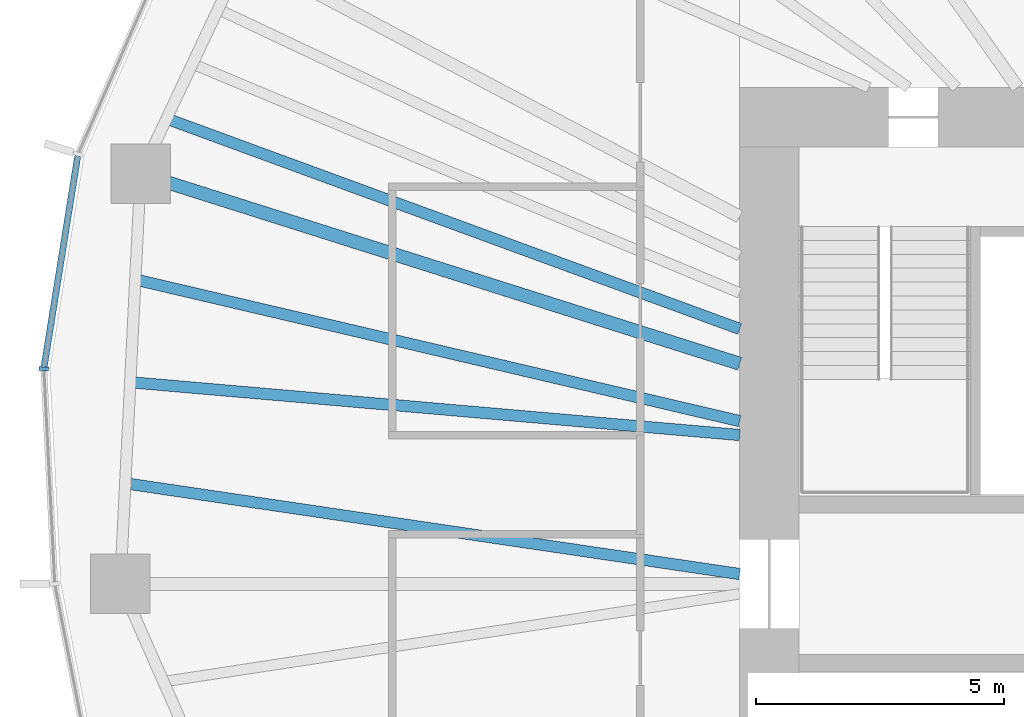
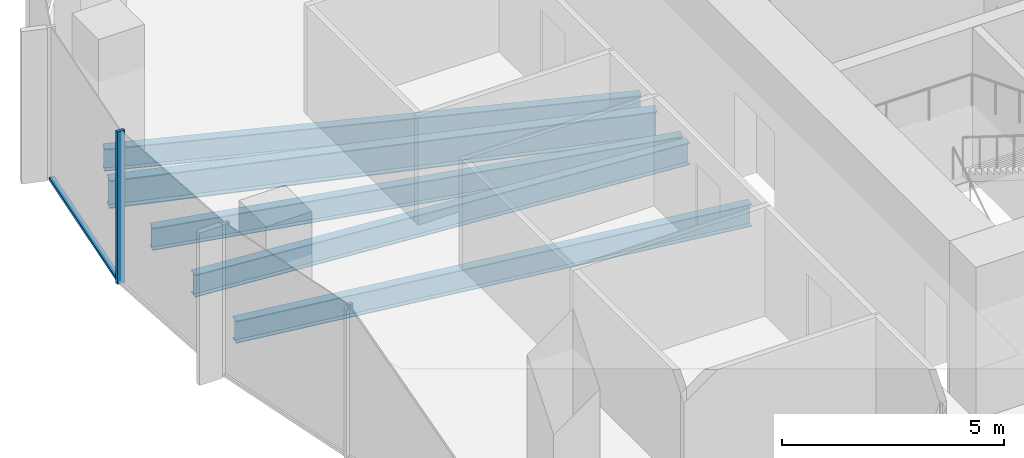
# One storey, part 3 of 12: 5 beams, 2 members, 1 element without a shape of its own.
"""IFC4 building model written with IfcOpenShell, lengths in metres."""

import ifcopenshell
import ifcopenshell.guid

model = None  # the IFC model being written
_history = None  # IfcOwnerHistory: only IFC2X3 demands one
_inside = {}  # id of a spatial element -> (the spatial element, [elements in it])
_under = {}  # id of a project, library or spatial element -> (it, [spatial elements below it])
_declared = {}  # id of a project -> (the project, [libraries it declares])
_typed = {}  # id of a type object -> (the type object, [elements of that type])
_made_of = {}  # id of a material, layer set ... -> (it, [elements and type objects made of it])


def new_model(schema):
    """Start an empty IFC model of exactly this schema.

    Asked for "IFC4X3", IfcOpenShell would pick the latest addendum, in which some entities
    have other attributes; the version numbers below select the first issue.
    IFC2X3 requires an IfcOwnerHistory on every rooted entity: one is made here for all.
    """
    global model, _history
    if schema == "IFC4X3":
        model = ifcopenshell.file(schema_version=(4, 3, 0, 0))
    else:
        model = ifcopenshell.file(schema=schema)
    _inside.clear()
    _under.clear()
    _declared.clear()
    _typed.clear()
    _made_of.clear()
    _history = None
    if model.schema == "IFC2X3":
        org = make("IfcOrganization", Name="unknown")
        user = make(
            "IfcPersonAndOrganization",
            ThePerson=make("IfcPerson", FamilyName="unknown"),
            TheOrganization=org,
        )
        app = make(
            "IfcApplication",
            ApplicationDeveloper=org,
            Version="unknown",
            ApplicationFullName="unknown",
            ApplicationIdentifier="unknown",
        )
        _history = make(
            "IfcOwnerHistory",
            OwningUser=user,
            OwningApplication=app,
            ChangeAction="ADDED",
            CreationDate=0,
        )
    return model


def make(cls, **values):
    """One entity of the class cls with the attributes given. An attribute that is None is left unset."""
    return model.create_entity(
        cls, **{name: value for name, value in values.items() if value is not None}
    )


def rooted(cls, **values):
    """An entity with a GlobalId (a new one), such as an element, a storey or a relation."""
    return make(cls, GlobalId=ifcopenshell.guid.new(), OwnerHistory=_history, **values)


def si_unit(unit_type, name, prefix=None):
    """IfcSIUnit, for example si_unit("LENGTHUNIT", "METRE", prefix="MILLI")."""
    return make("IfcSIUnit", UnitType=unit_type, Prefix=prefix, Name=name)


def assignment(units):
    """IfcUnitAssignment: the units of a project."""
    return None if units is None else make("IfcUnitAssignment", Units=units)


def point(xyz):
    """IfcCartesianPoint."""
    return None if xyz is None else make("IfcCartesianPoint", Coordinates=xyz)


def direction(xyz):
    """IfcDirection."""
    return None if xyz is None else make("IfcDirection", DirectionRatios=xyz)


def frame(location, z_axis=None, x_axis=None):
    """IfcAxis2Placement3D, a coordinate frame: its origin and axes. An axis left out is left unset."""
    return make(
        "IfcAxis2Placement3D",
        Location=point(location),
        Axis=direction(z_axis),
        RefDirection=direction(x_axis),
    )


def frame_2d(location, x_axis=None):
    """IfcAxis2Placement2D, a coordinate frame in the plane: its origin and x axis."""
    return make(
        "IfcAxis2Placement2D", Location=point(location), RefDirection=direction(x_axis)
    )


def origin():
    """The frame at (0, 0, 0) with its axes left unset."""
    return frame((0.0, 0.0, 0.0))


def origin_2d():
    """The frame at (0, 0) in the plane with its x axis left unset."""
    return frame_2d((0.0, 0.0))


def place(relative_to, where):
    """IfcLocalPlacement: puts the frame where relative to a parent placement (None: the world)."""
    return make(
        "IfcLocalPlacement", PlacementRelTo=relative_to, RelativePlacement=where
    )


def context(
    kind, dimensions, precision=None, world=None, true_north=None, identifier=None
):
    """IfcGeometricRepresentationContext, for example the 3D "Model" context."""
    return make(
        "IfcGeometricRepresentationContext",
        ContextIdentifier=identifier,
        ContextType=kind,
        CoordinateSpaceDimension=dimensions,
        Precision=precision,
        WorldCoordinateSystem=world,
        TrueNorth=true_north,
    )


def subcontext(parent, identifier, kind, view, scale=None):
    """IfcGeometricRepresentationSubContext, for example "Body" below "Model"."""
    return make(
        "IfcGeometricRepresentationSubContext",
        ContextIdentifier=identifier,
        ContextType=kind,
        ParentContext=parent,
        TargetScale=scale,
        TargetView=view,
    )


def project(units=None, contexts=None):
    """IfcProject with its units and contexts."""
    return rooted(
        "IfcProject",
        Name="project",
        RepresentationContexts=contexts,
        UnitsInContext=assignment(units),
    )


def spatial(cls, under=None, at=None, **own):
    """A site, building, storey or space (cls), placed at a placement, below another one or the project."""
    s = rooted(cls, ObjectPlacement=at, **own)
    if under is not None:
        _under.setdefault(under.id(), (under, []))[1].append(s)
    return s


def profile(cls, at=None, kind="AREA", **sizes):
    """A parametric profile (cls). Its sizes go by their IFC names, for example OverallWidth=200.0."""
    return make(cls, ProfileType=kind, Position=at, **sizes)


def rectangle(**sizes):
    """IfcRectangleProfileDef."""
    return profile("IfcRectangleProfileDef", **sizes)


def i_section(**sizes):
    """IfcIShapeProfileDef."""
    return profile("IfcIShapeProfileDef", **sizes)


def extrude(swept, where, along, depth):
    """IfcExtrudedAreaSolid: the profile swept, set in the frame where, extruded along a direction by depth."""
    return make(
        "IfcExtrudedAreaSolid",
        SweptArea=swept,
        Position=where,
        ExtrudedDirection=direction(along),
        Depth=depth,
    )


def shape(context_of_items, identifier, shape_type, items):
    """IfcShapeRepresentation: the items that make up one representation, for example the "Body"."""
    return make(
        "IfcShapeRepresentation",
        ContextOfItems=context_of_items,
        RepresentationIdentifier=identifier,
        RepresentationType=shape_type,
        Items=items,
    )


def material(Name=None, Category=None):
    """IfcMaterial."""
    return make("IfcMaterial", Name=Name, Category=Category)


def material_profile(
    of_material, cross_section, Name=None, Category=None, Priority=None
):
    """IfcMaterialProfile: a cross section and its material."""
    return make(
        "IfcMaterialProfile",
        Name=Name,
        Material=of_material,
        Profile=cross_section,
        Priority=Priority,
        Category=Category,
    )


def profile_set(profiles, Name=None, composite=None):
    """IfcMaterialProfileSet."""
    return make(
        "IfcMaterialProfileSet",
        Name=Name,
        MaterialProfiles=profiles,
        CompositeProfile=composite,
    )


def made_of(thing, what):
    """Note that an element or type object is made of a material, layer set ...; save() writes the relation."""
    if what is not None:
        _made_of.setdefault(what.id(), (what, []))[1].append(thing)
    return thing


def type_object(cls, material=None, **own):
    """A type object (cls), such as IfcWallType, which elements share."""
    return made_of(rooted(cls, **own), material)


def element(
    cls,
    number,
    at=None,
    inside=None,
    cuts=None,
    type_object=None,
    material=None,
    context=None,
    identifier="Body",
    shape_type=None,
    held_by="IfcProductDefinitionShape",
    body=None,
    shapes=None,
    **own,
):
    """One element of the class cls, such as IfcWall. Its Tag is "e" and its number.

    at: its placement. inside: the storey or other place that contains it. cuts: it is an
    opening in that element (IfcRelVoidsElement). A single representation is given by context,
    identifier, shape_type and body (its items); several are given by shapes. held_by: the class
    of the entity that holds the representations. save() writes the other relations.
    """
    e = rooted(cls, Tag="e%d" % number, ObjectPlacement=at, **own)
    if body is not None:
        shapes = [shape(context, identifier, shape_type, body)]
    if shapes is not None:
        e.Representation = make(held_by, Representations=shapes)
    if inside is not None:
        _inside.setdefault(inside.id(), (inside, []))[1].append(e)
    if cuts is not None:
        rooted(
            "IfcRelVoidsElement", RelatingBuildingElement=cuts, RelatedOpeningElement=e
        )
    if type_object is not None:
        _typed.setdefault(type_object.id(), (type_object, []))[1].append(e)
    return made_of(e, material)


def aggregate(whole, parts):
    """IfcRelAggregates: a whole, such as a stair, and the parts it consists of."""
    return rooted("IfcRelAggregates", RelatingObject=whole, RelatedObjects=parts)


def save(model, path):
    """Write the relations noted so far, then the file.

    IfcRelAggregates (storeys below a building ...), IfcRelContainedInSpatialStructure (elements
    in a storey), IfcRelDefinesByType, IfcRelAssociatesMaterial and IfcRelDeclares: one each for
    every whole, place, type object, material and project.
    """
    for whole, parts in _under.values():
        aggregate(whole, parts)
    for where, things in _inside.values():
        rooted(
            "IfcRelContainedInSpatialStructure",
            RelatedElements=things,
            RelatingStructure=where,
        )
    for kind, things in _typed.values():
        rooted("IfcRelDefinesByType", RelatedObjects=things, RelatingType=kind)
    for what, things in _made_of.values():
        rooted("IfcRelAssociatesMaterial", RelatedObjects=things, RelatingMaterial=what)
    for by, libraries in _declared.values():
        rooted("IfcRelDeclares", RelatingContext=by, RelatedDefinitions=libraries)
    model.write(path)


model = new_model("IFC4")

# Units and contexts
model_context = context("Model", 3, precision=1e-05, world=origin(), true_north=direction((0.0, 1.0)))
body_context = subcontext(model_context, "Body", "Model", "MODEL_VIEW")
ifc_project = project(units=[si_unit("LENGTHUNIT", "METRE"), si_unit("AREAUNIT", "SQUARE_METRE"), si_unit("VOLUMEUNIT", "CUBIC_METRE"), si_unit("PLANEANGLEUNIT", "RADIAN"), si_unit("MASSUNIT", "GRAM", prefix="KILO")], contexts=[model_context])

# Site, building, storey
site_placement = place(None, origin())
site = spatial("IfcSite", under=ifc_project, at=site_placement, CompositionType="ELEMENT")
building_placement = place(site_placement, origin())
building = spatial("IfcBuilding", under=site, at=building_placement, Name="Ghaith Harvest Tower", CompositionType="ELEMENT")
storey_placement = place(building_placement, frame((0.0, 0.0, 253.60009765625)))
storey = spatial("IfcBuildingStorey", under=building, at=storey_placement, Name="L56", CompositionType="ELEMENT", Elevation=253.60009765625)

# Curtain wall, members
ifc_material_1 = material(Name="Black anodised aluminium and fritted glass", Category="aluminium")
curtain_wall_type = type_object("IfcCurtainWallType", Name="CW-H CURTAIN WALL", PredefinedType="NOTDEFINED", material=ifc_material_1)
curtain_wall_placement = place(storey_placement, origin())
curtain_wall = element("IfcCurtainWall", 1, at=curtain_wall_placement, inside=storey, type_object=curtain_wall_type, Name="Curtain wall CW-H bay 10 L56", PredefinedType="NOTDEFINED")
ifc_material_2 = material(Name="Aluminium, black anodised", Category="aluminium")
ifc_material_profile_1 = material_profile(ifc_material_2, rectangle(XDim=0.080078125, YDim=0.199951171875, at=origin_2d()), Name="CW-H MULLION 80x200")
ifc_profile_set_1 = profile_set([ifc_material_profile_1], Name="Aluminium, black anodised")
member_type_1 = type_object("IfcMemberType", Name="CW-H MULLION 80x200", PredefinedType="MULLION", material=ifc_profile_set_1)
member_1_placement = place(storey_placement, frame((-28.015869140625, 4.333251953125, 0.0), z_axis=(0.0, 0.0, 1.0), x_axis=(-0.054116047044, -0.998534653105, 0.0)))
member_1 = element("IfcMember", 2, at=member_1_placement, type_object=member_type_1, Name="CW-H mullion 2 bay 10 L56", PredefinedType="MULLION", context=body_context, shape_type="SweptSolid", body=[
    extrude(rectangle(XDim=0.080078125, YDim=0.199951171875, at=origin_2d()), origin(), (0.0, 0.0, 1.0), 4.199951171875),
])
ifc_material_3 = material(Name="Aluminium, black anodised", Category="aluminium")
ifc_material_profile_2 = material_profile(ifc_material_3, rectangle(XDim=0.1298828125, YDim=0.080078125, at=origin_2d()), Name="CW-H TRANSOM 130x80")
ifc_profile_set_2 = profile_set([ifc_material_profile_2], Name="Aluminium, black anodised")
member_type_2 = type_object("IfcMemberType", Name="CW-H TRANSOM 130x80", PredefinedType="USERDEFINED", material=ifc_profile_set_2)
member_2_placement = place(storey_placement, frame((-27.33203125, 8.62060546875, 0.039794921875), z_axis=(-0.157492444441, -0.98752019217, 0.0), x_axis=(0.98752019217, -0.157492444441, 0.0)))
member_2 = element("IfcMember", 3, at=member_2_placement, type_object=member_type_2, Name="CW-H transom 1 bay 10 L56", ObjectType="TRANSOM", PredefinedType="USERDEFINED", context=body_context, shape_type="SweptSolid", body=[
    extrude(rectangle(XDim=0.1298828125, YDim=0.080078125, at=origin_2d()), origin(), (0.0, 0.0, 1.0), 4.3017578125),
])
aggregate(curtain_wall, [member_2, member_1])

# Beams
ifc_material_4 = material(Name="Steel ASTM A992 Grade 50", Category="steel")
ifc_material_profile_3 = material_profile(ifc_material_4, i_section(OverallWidth=0.26806640625, OverallDepth=0.77001953125, WebThickness=0.015625, FlangeThickness=0.025390625, at=origin_2d()), Name="W760X196")
ifc_profile_set_3 = profile_set([ifc_material_profile_3], Name="Steel ASTM A992 Grade 50")
beam_type_1 = type_object("IfcBeamType", Name="G760-196 W760X196", PredefinedType="BEAM", material=ifc_profile_set_3)
beam_1_placement = place(storey_placement, frame((-14.0, 4.43701171875, -0.55517578125), z_axis=(-0.953278738841, 0.302092115212, 0.0), x_axis=(-0.302092115212, -0.953278738841, 0.0)))
element("IfcBeam", 4, at=beam_1_placement, inside=storey, type_object=beam_type_1, Name="Radial girder G10 L56", PredefinedType="BEAM", context=body_context, shape_type="SweptSolid", body=[
    extrude(i_section(OverallWidth=0.26806640625, OverallDepth=0.77001953125, WebThickness=0.015625, FlangeThickness=0.025390625, at=origin_2d()), origin(), (0.0, 0.0, 1.0), 12.658203125),
])
ifc_material_5 = material(Name="Steel ASTM A992 Grade 50", Category="steel")
ifc_material_profile_4 = material_profile(ifc_material_5, i_section(OverallWidth=0.22900390625, OverallDepth=0.612060546875, WebThickness=0.011962890625, FlangeThickness=0.01953125, at=origin_2d()), Name="W610X125")
ifc_profile_set_4 = profile_set([ifc_material_profile_4], Name="Steel ASTM A992 Grade 50")
beam_type_2 = type_object("IfcBeamType", Name="J610-125 W610X125", PredefinedType="JOIST", material=ifc_profile_set_4)
beam_2_placement = place(storey_placement, frame((-14.0, 5.137939453125, -0.47607421875), z_axis=(-0.938775301049, 0.344530019216, 0.0), x_axis=(-0.344530019216, -0.938775301049, 0.0)))
element("IfcBeam", 5, at=beam_2_placement, inside=storey, type_object=beam_type_2, Name="Joist J09.3 L56", PredefinedType="JOIST", context=body_context, shape_type="SweptSolid", body=[
    extrude(i_section(OverallWidth=0.22900390625, OverallDepth=0.612060546875, WebThickness=0.011962890625, FlangeThickness=0.01953125, at=origin_2d()), origin(), (0.0, 0.0, 1.0), 12.295166015625),
])
beam_3_placement = place(storey_placement, frame((-14.0, 3.280517578125, -0.47607421875), z_axis=(-0.973621665777, 0.228168472691, 0.0), x_axis=(-0.228168472691, -0.973621665777, 0.0)))
element("IfcBeam", 6, at=beam_3_placement, inside=storey, type_object=beam_type_2, Name="Joist J10.1 L56", PredefinedType="JOIST", context=body_context, shape_type="SweptSolid", body=[
    extrude(i_section(OverallWidth=0.22900390625, OverallDepth=0.612060546875, WebThickness=0.011962890625, FlangeThickness=0.01953125, at=origin_2d()), origin(), (0.0, 0.0, 1.0), 12.501953125),
])
beam_4_placement = place(storey_placement, frame((-14.0, 3.0, -0.47607421875), z_axis=(-0.996265900996, 0.086338024716, 0.0), x_axis=(-0.086338024716, -0.996265900996, 0.0)))
element("IfcBeam", 7, at=beam_4_placement, inside=storey, type_object=beam_type_2, Name="Joist J10.2 L56", PredefinedType="JOIST", context=body_context, shape_type="SweptSolid", body=[
    extrude(i_section(OverallWidth=0.22900390625, OverallDepth=0.612060546875, WebThickness=0.011962890625, FlangeThickness=0.01953125, at=origin_2d()), origin(), (0.0, 0.0, 1.0), 12.3203125),
])
beam_5_placement = place(storey_placement, frame((-14.0, 0.199951171875, -0.47607421875), z_axis=(-0.989269378665, 0.146103033631, 0.0), x_axis=(-0.146103033631, -0.989269378665, 0.0)))
element("IfcBeam", 8, at=beam_5_placement, inside=storey, type_object=beam_type_2, Name="Joist J10.3 L56", PredefinedType="JOIST", context=body_context, shape_type="SweptSolid", body=[
    extrude(i_section(OverallWidth=0.22900390625, OverallDepth=0.612060546875, WebThickness=0.011962890625, FlangeThickness=0.01953125, at=origin_2d()), origin(), (0.0, 0.0, 1.0), 12.50927734375),
])

save(model, "model.ifc")
